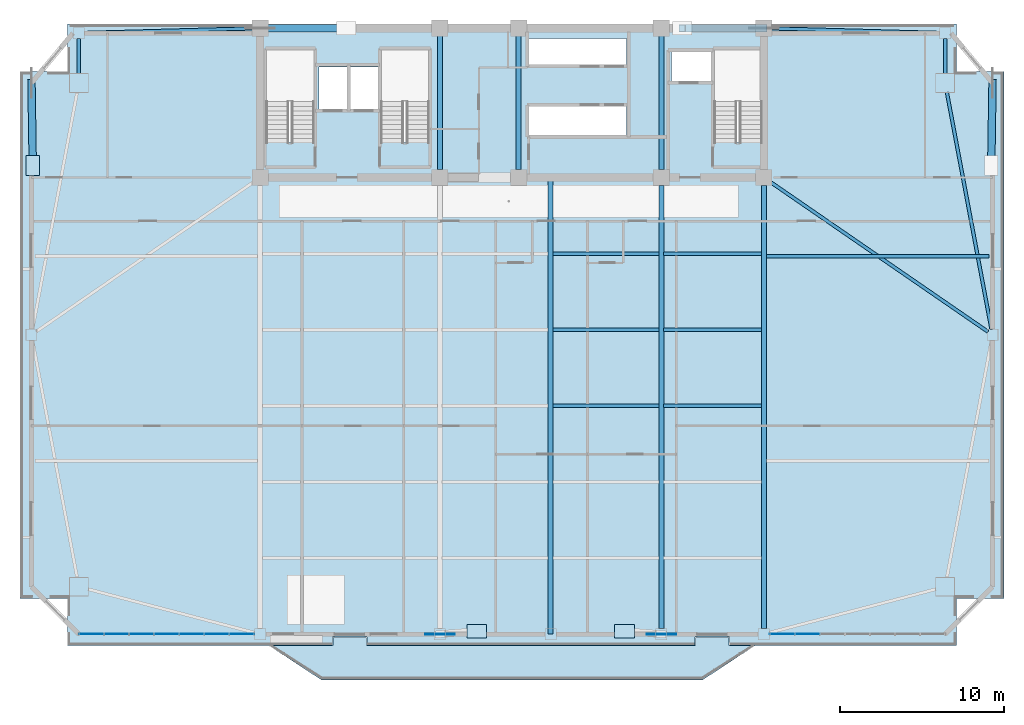
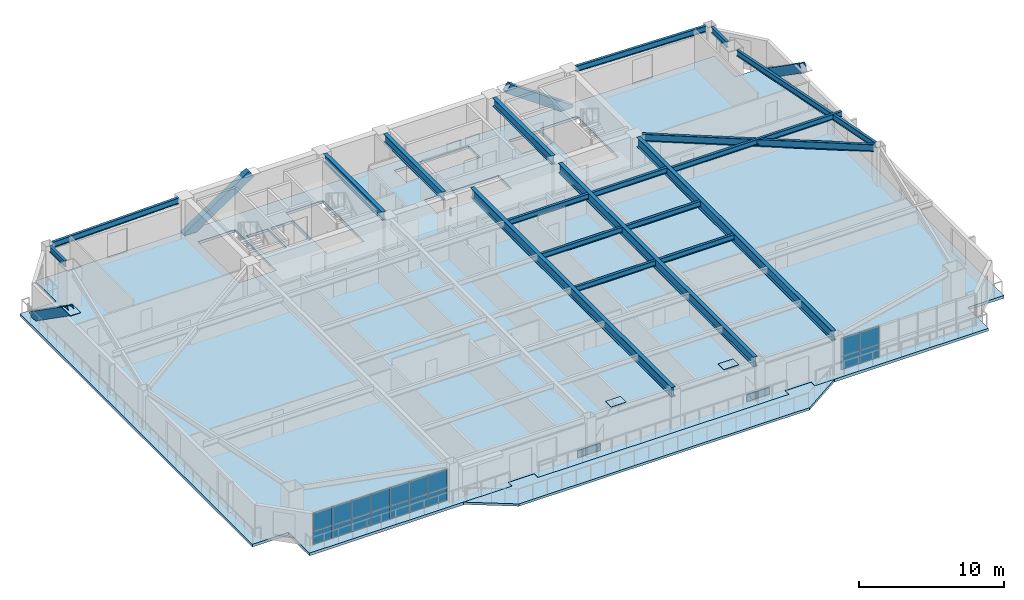
# One storey, part 6 of 15: 23 plates, 19 beams, 4 members, 2 slabs, 2 elements without a shape of their own.
"""IFC4 building model written with IfcOpenShell, lengths in metres."""

from ifc_helpers import new_model, si_unit, direction, frame, origin, origin_2d, place, context, subcontext, project, spatial, polyline, rectangle, hollow_rectangle, i_section, outline, extrude, source, transform, mapped, material, layer, layer_set, material_profile, profile_set, type_object, element, aggregate, save


model = new_model("IFC4")

# Units and contexts
model_context = context("Model", 3, precision=1e-05, world=origin(), true_north=direction((0.0, 1.0)))
body_context = subcontext(model_context, "Body", "Model", "MODEL_VIEW")
ifc_project = project(units=[si_unit("LENGTHUNIT", "METRE"), si_unit("AREAUNIT", "SQUARE_METRE"), si_unit("VOLUMEUNIT", "CUBIC_METRE"), si_unit("PLANEANGLEUNIT", "RADIAN"), si_unit("MASSUNIT", "GRAM", prefix="KILO")], contexts=[model_context])

# Site, building, storey
site_placement = place(None, origin())
site = spatial("IfcSite", under=ifc_project, at=site_placement, CompositionType="ELEMENT")
building_placement = place(site_placement, origin())
building = spatial("IfcBuilding", under=site, at=building_placement, Name="Giltprow Tower", CompositionType="ELEMENT")
storey_placement = place(building_placement, frame((0.0, 0.0, 170.199951171875)))
storey = spatial("IfcBuildingStorey", under=building, at=storey_placement, Name="L42", CompositionType="ELEMENT", Elevation=170.199951171875)

# Beams
ifc_material_1 = material(Name="Structural steel Q355B", Category="steel")
ifc_material_profile_1 = material_profile(ifc_material_1, i_section(OverallWidth=0.199951171875, OverallDepth=0.449951171875, WebThickness=0.009033203125, FlangeThickness=0.013916015625, at=origin_2d()), Name="HN 450x200x9x14")
ifc_profile_set_1 = profile_set([ifc_material_profile_1], Name="Structural steel Q355B")
beam_type_1 = type_object("IfcBeamType", Name="BM-JOIST-HN450", PredefinedType="JOIST", material=ifc_profile_set_1)
shared_shape_1 = source(origin(), body_context, "Body", "SweptSolid", [
    extrude(i_section(OverallWidth=0.199951171875, OverallDepth=0.449951171875, WebThickness=0.009033203125, FlangeThickness=0.013916015625, at=origin_2d()), origin(), (0.0, 0.0, 1.0), 6.4599609375),
])
for number, where, z_axis, x_axis, name in (
    (1, (37.695068359375, 23.5380859375, 3.045166015625), (1.0, 0.0, 0.0), (0.0, 1.0, 0.0), "L42 Composite Floor Joist 3-3"),
    (2, (37.695068359375, 28.175048828125, 3.045166015625), (1.0, 0.0, 0.0), (0.0, 1.0, 0.0), "L42 Composite Floor Joist 4-3"),
    (3, (37.695068359375, 32.81298828125, 3.045166015625), (1.0, 0.0, 0.0), (0.0, 1.0, 0.0), "L42 Composite Floor Joist 5-3"),
):
    element("IfcBeam", number, at=place(storey_placement, frame(where, z_axis=z_axis, x_axis=x_axis)), inside=storey, type_object=beam_type_1, Name=name, PredefinedType="JOIST", context=body_context, shape_type="MappedRepresentation", body=[
        mapped(shared_shape_1, transform((0.0, 0.0, 0.0), x_axis=(1.0, 0.0, 0.0), y_axis=(0.0, 1.0, 0.0), z_axis=(0.0, 0.0, 1.0), scale=1.0)),
    ])
shared_shape_2 = source(origin(), body_context, "Body", "SweptSolid", [
    extrude(i_section(OverallWidth=0.199951171875, OverallDepth=0.449951171875, WebThickness=0.009033203125, FlangeThickness=0.013916015625, at=origin_2d()), origin(), (0.0, 0.0, 1.0), 5.9599609375),
])
for number, where, z_axis, x_axis, name in (
    (4, (44.445068359375, 23.5380859375, 3.045166015625), (1.0, 0.0, 0.0), (0.0, 1.0, 0.0), "L42 Composite Floor Joist 3-4"),
    (5, (44.445068359375, 28.175048828125, 3.045166015625), (1.0, 0.0, 0.0), (0.0, 1.0, 0.0), "L42 Composite Floor Joist 4-4"),
    (6, (44.445068359375, 32.81298828125, 3.045166015625), (1.0, 0.0, 0.0), (0.0, 1.0, 0.0), "L42 Composite Floor Joist 5-4"),
):
    element("IfcBeam", number, at=place(storey_placement, frame(where, z_axis=z_axis, x_axis=x_axis)), inside=storey, type_object=beam_type_1, Name=name, PredefinedType="JOIST", context=body_context, shape_type="MappedRepresentation", body=[
        mapped(shared_shape_2, transform((0.0, 0.0, 0.0), x_axis=(1.0, 0.0, 0.0), y_axis=(0.0, 1.0, 0.0), z_axis=(0.0, 0.0, 1.0), scale=1.0)),
    ])
ifc_material_profile_2 = material_profile(ifc_material_1, i_section(OverallWidth=0.300048828125, OverallDepth=0.699951171875, WebThickness=0.012939453125, FlangeThickness=0.02392578125, at=origin_2d()), Name="HN 700x300x13x24")
ifc_profile_set_2 = profile_set([ifc_material_profile_2], Name="Structural steel Q355B")
beam_type_2 = type_object("IfcBeamType", Name="BM-GIRD-HN700", PredefinedType="BEAM", material=ifc_profile_set_2)
shared_shape_3 = source(origin(), body_context, "Body", "SweptSolid", [
    extrude(i_section(OverallWidth=0.300048828125, OverallDepth=0.699951171875, WebThickness=0.012939453125, FlangeThickness=0.02392578125, at=origin_2d()), origin(), (0.0, 0.0, 1.0), 8.1298828125),
])
for number, where, z_axis, x_axis, name in (
    (7, (30.800048828125, 37.93505859375, 2.920166015625), (0.0, 1.0, 0.0), (-1.0, 0.0, 0.0), "L42 Core Tie Girder M1"),
    (8, (35.60009765625, 37.93505859375, 2.920166015625), (0.0, 1.0, 0.0), (-1.0, 0.0, 0.0), "L42 Core Tie Girder M2"),
    (9, (44.300048828125, 37.93505859375, 2.920166015625), (0.0, 1.0, 0.0), (-1.0, 0.0, 0.0), "L42 Core Tie Girder M3"),
):
    element("IfcBeam", number, at=place(storey_placement, frame(where, z_axis=z_axis, x_axis=x_axis)), inside=storey, type_object=beam_type_2, Name=name, PredefinedType="BEAM", context=body_context, shape_type="MappedRepresentation", body=[
        mapped(shared_shape_3, transform((0.0, 0.0, 0.0), x_axis=(1.0, 0.0, 0.0), y_axis=(0.0, 1.0, 0.0), z_axis=(0.0, 0.0, 1.0), scale=1.0)),
    ])
ifc_material_profile_3 = material_profile(ifc_material_1, i_section(OverallWidth=0.300048828125, OverallDepth=0.800048828125, WebThickness=0.013916015625, FlangeThickness=0.02587890625, at=origin_2d()), Name="HN 800x300x14x26")
ifc_profile_set_3 = profile_set([ifc_material_profile_3], Name="Structural steel Q355B")
beam_type_3 = type_object("IfcBeamType", Name="BM-GIRD-HN800", PredefinedType="BEAM", material=ifc_profile_set_3)
shared_shape_4 = source(origin(), body_context, "Body", "SweptSolid", [
    extrude(i_section(OverallWidth=0.300048828125, OverallDepth=0.800048828125, WebThickness=0.013916015625, FlangeThickness=0.02587890625, at=origin_2d()), origin(), (0.0, 0.0, 1.0), 27.823974609375),
])
beam_1_placement = place(storey_placement, frame((37.550048828125, 9.6259765625, 2.8701171875), z_axis=(0.0, 1.0, 0.0), x_axis=(-1.0, 0.0, 0.0)))
element("IfcBeam", 10, at=beam_1_placement, inside=storey, type_object=beam_type_3, Name="L42 Central Lease Girder SMID", PredefinedType="BEAM", context=body_context, shape_type="MappedRepresentation", body=[
    mapped(shared_shape_4, transform((0.0, 0.0, 0.0), x_axis=(1.0, 0.0, 0.0), y_axis=(0.0, 1.0, 0.0), z_axis=(0.0, 0.0, 1.0), scale=1.0)),
])
shared_shape_5 = source(origin(), body_context, "Body", "SweptSolid", [
    extrude(i_section(OverallWidth=0.199951171875, OverallDepth=0.449951171875, WebThickness=0.009033203125, FlangeThickness=0.013916015625, at=origin_2d()), origin(), (0.0, 0.0, 1.0), 13.56591796875),
])
beam_2_placement = place(storey_placement, frame((50.695068359375, 32.656982421875, 3.045166015625), z_axis=(1.0, 0.0, 0.0), x_axis=(0.0, 1.0, 0.0)))
element("IfcBeam", 11, at=beam_2_placement, inside=storey, type_object=beam_type_1, Name="L42 East Wing Floor Joist 2", PredefinedType="JOIST", context=body_context, shape_type="MappedRepresentation", body=[
    mapped(shared_shape_5, transform((0.0, 0.0, 0.0), x_axis=(1.0, 0.0, 0.0), y_axis=(0.0, 1.0, 0.0), z_axis=(0.0, 0.0, 1.0), scale=1.0)),
])
ifc_material_profile_4 = material_profile(ifc_material_1, i_section(OverallWidth=0.199951171875, OverallDepth=0.5, WebThickness=0.010009765625, FlangeThickness=0.01611328125, at=origin_2d()), Name="HN 500x200x10x16")
ifc_profile_set_4 = profile_set([ifc_material_profile_4], Name="Structural steel Q355B")
beam_type_4 = type_object("IfcBeamType", Name="BM-SPAN-HN500", PredefinedType="SPANDREL", material=ifc_profile_set_4)
shared_shape_6 = source(origin(), body_context, "Body", "SweptSolid", [
    extrude(i_section(OverallWidth=0.199951171875, OverallDepth=0.5, WebThickness=0.010009765625, FlangeThickness=0.01611328125, at=origin_2d()), origin(), (0.0, 0.0, 1.0), 14.69921875),
])
beam_3_placement = place(storey_placement, frame((64.4189453125, 28.19189453125, 3.02001953125), z_axis=(-0.184841051364, 0.982768429352, 0.0), x_axis=(-0.982768429352, -0.184841051364, 0.0)))
element("IfcBeam", 12, at=beam_3_placement, inside=storey, type_object=beam_type_4, Name="L42 Perimeter Spandrel Beam E_MID-MC_NE", PredefinedType="SPANDREL", context=body_context, shape_type="MappedRepresentation", body=[
    mapped(shared_shape_6, transform((0.0, 0.0, 0.0), x_axis=(1.0, 0.0, 0.0), y_axis=(0.0, 1.0, 0.0), z_axis=(0.0, 0.0, 1.0), scale=1.0)),
])
shared_shape_7 = source(origin(), body_context, "Body", "SweptSolid", [
    extrude(i_section(OverallWidth=0.199951171875, OverallDepth=0.5, WebThickness=0.010009765625, FlangeThickness=0.01611328125, at=origin_2d()), origin(), (0.0, 0.0, 1.0), 2.116943359375),
])
for number, where, z_axis, x_axis, name in (
    (13, (61.593994140625, 43.798095703125, 3.02001953125), (0.0, 1.0, 0.0), (-1.0, 0.0, 0.0), "L42 Perimeter Spandrel Beam MC_NE-N_E"),
    (14, (8.805908203125, 45.9150390625, 3.02001953125), (0.0, -1.0, 0.0), (1.0, 0.0, 0.0), "L42 Perimeter Spandrel Beam N_W-MC_NW"),
):
    element("IfcBeam", number, at=place(storey_placement, frame(where, z_axis=z_axis, x_axis=x_axis)), inside=storey, type_object=beam_type_4, Name=name, PredefinedType="SPANDREL", context=body_context, shape_type="MappedRepresentation", body=[
        mapped(shared_shape_7, transform((0.0, 0.0, 0.0), x_axis=(1.0, 0.0, 0.0), y_axis=(0.0, 1.0, 0.0), z_axis=(0.0, 0.0, 1.0), scale=1.0)),
    ])
shared_shape_8 = source(origin(), body_context, "Body", "SweptSolid", [
    extrude(i_section(OverallWidth=0.199951171875, OverallDepth=0.5, WebThickness=0.010009765625, FlangeThickness=0.01611328125, at=origin_2d()), origin(), (0.0, 0.0, 1.0), 10.2275390625),
])
beam_4_placement = place(storey_placement, frame((9.14111328125, 46.259033203125, 3.02001953125), z_axis=(0.999630320429, 0.027188646153, 0.0), x_axis=(-0.027188646153, 0.999630320429, 0.0)))
element("IfcBeam", 15, at=beam_4_placement, inside=storey, type_object=beam_type_4, Name="L42 North Wing Spandrel W", PredefinedType="SPANDREL", context=body_context, shape_type="MappedRepresentation", body=[
    mapped(shared_shape_8, transform((0.0, 0.0, 0.0), x_axis=(1.0, 0.0, 0.0), y_axis=(0.0, 1.0, 0.0), z_axis=(0.0, 0.0, 1.0), scale=1.0)),
])
shared_shape_9 = source(origin(), body_context, "Body", "SweptSolid", [
    extrude(i_section(OverallWidth=0.199951171875, OverallDepth=0.5, WebThickness=0.010009765625, FlangeThickness=0.01611328125, at=origin_2d()), origin(), (0.0, 0.0, 1.0), 10.227783203125),
])
beam_5_placement = place(storey_placement, frame((51.034912109375, 46.537109375, 3.02001953125), z_axis=(0.999630338074, -0.027187997399, 0.0), x_axis=(0.027187997399, 0.999630338074, 0.0)))
element("IfcBeam", 16, at=beam_5_placement, inside=storey, type_object=beam_type_4, Name="L42 North Wing Spandrel E", PredefinedType="SPANDREL", context=body_context, shape_type="MappedRepresentation", body=[
    mapped(shared_shape_9, transform((0.0, 0.0, 0.0), x_axis=(1.0, 0.0, 0.0), y_axis=(0.0, 1.0, 0.0), z_axis=(0.0, 0.0, 1.0), scale=1.0)),
])
shared_shape_10 = source(origin(), body_context, "Body", "SweptSolid", [
    extrude(i_section(OverallWidth=0.300048828125, OverallDepth=0.800048828125, WebThickness=0.013916015625, FlangeThickness=0.02587890625, at=origin_2d()), origin(), (0.0, 0.0, 1.0), 27.004150390625),
])
for number, where, z_axis, x_axis, name in (
    (17, (44.300048828125, 9.9609375, 2.8701171875), (0.0, 1.0, 0.0), (-1.0, 0.0, 0.0), "L42 Primary Lease Girder S3"),
    (18, (50.550048828125, 9.9609375, 2.8701171875), (0.0, 1.0, 0.0), (-1.0, 0.0, 0.0), "L42 Primary Lease Girder S4"),
):
    element("IfcBeam", number, at=place(storey_placement, frame(where, z_axis=z_axis, x_axis=x_axis)), inside=storey, type_object=beam_type_3, Name=name, PredefinedType="BEAM", context=body_context, shape_type="MappedRepresentation", body=[
        mapped(shared_shape_10, transform((0.0, 0.0, 0.0), x_axis=(1.0, 0.0, 0.0), y_axis=(0.0, 1.0, 0.0), z_axis=(0.0, 0.0, 1.0), scale=1.0)),
    ])
ifc_material_profile_5 = material_profile(ifc_material_1, i_section(OverallWidth=0.199951171875, OverallDepth=0.60009765625, WebThickness=0.010986328125, FlangeThickness=0.01708984375, at=origin_2d()), Name="HN 600x200x11x17")
ifc_profile_set_5 = profile_set([ifc_material_profile_5], Name="Structural steel Q355B")
beam_type_5 = type_object("IfcBeamType", Name="BM-GIRD-HN600", PredefinedType="BEAM", material=ifc_profile_set_5)
shared_shape_11 = source(origin(), body_context, "Body", "SweptSolid", [
    extrude(i_section(OverallWidth=0.199951171875, OverallDepth=0.60009765625, WebThickness=0.010986328125, FlangeThickness=0.01708984375, at=origin_2d()), origin(), (0.0, 0.0, 1.0), 16.090576171875),
])
beam_6_placement = place(storey_placement, frame((64.205078125, 28.052978515625, 2.969970703125), z_axis=(-0.823775766342, 0.566915766924, 0.0), x_axis=(-0.566915766924, -0.823775766342, 0.0)))
element("IfcBeam", 19, at=beam_6_placement, inside=storey, type_object=beam_type_5, Name="L42 East Wing Primary Girder", PredefinedType="BEAM", context=body_context, shape_type="MappedRepresentation", body=[
    mapped(shared_shape_11, transform((0.0, 0.0, 0.0), x_axis=(1.0, 0.0, 0.0), y_axis=(0.0, 1.0, 0.0), z_axis=(0.0, 0.0, 1.0), scale=1.0)),
])

# Members
ifc_material_2 = material(Name="Structural steel Q420GJC", Category="steel")
ifc_material_profile_6 = material_profile(ifc_material_2, hollow_rectangle(XDim=0.449951171875, YDim=0.699951171875, WallThickness=0.031982421875, at=origin_2d()), Name="RHS 700x450x32")
ifc_profile_set_6 = profile_set([ifc_material_profile_6], Name="Structural steel Q420GJC")
member_type = type_object("IfcMemberType", Name="MBR-MEGA-RHS700", PredefinedType="BRACE", material=ifc_profile_set_6)
shared_shape_12 = source(origin(), body_context, "Body", "SweptSolid", [
    extrude(hollow_rectangle(XDim=0.449951171875, YDim=0.699951171875, WallThickness=0.031982421875, at=origin_2d()), origin(), (0.0, 0.0, 1.0), 6.309814453125),
])
member_1_placement = place(storey_placement, frame((19.85009765625, 46.550048828125, -0.139892578125), z_axis=(0.832050294338, 0.0, 0.554700196225), x_axis=(0.0, 1.0, 0.0)))
element("IfcMember", 20, at=member_1_placement, inside=storey, type_object=member_type, Name="L42 Chevron Mega-Brace N-L", PredefinedType="BRACE", context=body_context, shape_type="MappedRepresentation", body=[
    mapped(shared_shape_12, transform((0.0, 0.0, 0.0), x_axis=(1.0, 0.0, 0.0), y_axis=(0.0, 1.0, 0.0), z_axis=(0.0, 0.0, 1.0), scale=1.0)),
])
shared_shape_13 = source(origin(), body_context, "Body", "SweptSolid", [
    extrude(hollow_rectangle(XDim=0.449951171875, YDim=0.699951171875, WallThickness=0.031982421875, at=origin_2d()), origin(), (0.0, 0.0, 1.0), 6.089599609375),
])
member_2_placement = place(storey_placement, frame((50.550048828125, 46.550048828125, -0.139892578125), z_axis=(-0.818321147337, 0.0, 0.574761254628), x_axis=(0.0, -1.0, 0.0)))
element("IfcMember", 21, at=member_2_placement, inside=storey, type_object=member_type, Name="L42 Chevron Mega-Brace N-R", PredefinedType="BRACE", context=body_context, shape_type="MappedRepresentation", body=[
    mapped(shared_shape_13, transform((0.0, 0.0, 0.0), x_axis=(1.0, 0.0, 0.0), y_axis=(0.0, 1.0, 0.0), z_axis=(0.0, 0.0, 1.0), scale=1.0)),
])
shared_shape_14 = source(origin(), body_context, "Body", "SweptSolid", [
    extrude(hollow_rectangle(XDim=0.449951171875, YDim=0.699951171875, WallThickness=0.031982421875, at=origin_2d()), origin(), (0.0, 0.0, 1.0), 6.12744140625),
])
for number, where, z_axis, x_axis, name in (
    (22, (5.9189453125, 43.212890625, 0.0), (0.012750108012, -0.820708515084, 0.571204838928), (0.999879346132, 0.015533614466, 0.0), "L42 Chevron Mega-Brace W-R"),
    (23, (64.48095703125, 43.212890625, 0.0), (-0.012710270371, -0.820708931366, 0.571205128656), (0.999880098905, -0.015485083579, 0.0), "L42 Chevron Mega-Brace E-R"),
):
    element("IfcMember", number, at=place(storey_placement, frame(where, z_axis=z_axis, x_axis=x_axis)), inside=storey, type_object=member_type, Name=name, PredefinedType="BRACE", context=body_context, shape_type="MappedRepresentation", body=[
        mapped(shared_shape_14, transform((0.0, 0.0, 0.0), x_axis=(1.0, 0.0, 0.0), y_axis=(0.0, 1.0, 0.0), z_axis=(0.0, 0.0, 1.0), scale=1.0)),
    ])

# Slabs
ifc_material_3 = material(Name="Concrete C40", Category="concrete")
ifc_layer_1 = layer(ifc_material_3, 0.199951171875, Name="Concrete C40")
ifc_layer_set_1 = layer_set([ifc_layer_1], Name="Concrete C40")
slab_type_1 = type_object("IfcSlabType", Name="SLB-BALC-BRONZE-200", PredefinedType="FLOOR", material=ifc_layer_set_1)
slab_1_placement = place(storey_placement, frame((0.0, 0.0, -0.199951171875)))
element("IfcSlab", 24, at=slab_1_placement, inside=storey, type_object=slab_type_1, Name="L42 Bronze Prow Waterfront Balcony Slab", PredefinedType="FLOOR", context=body_context, shape_type="SweptSolid", body=[
    extrude(outline(polyline([(50.0, 8.926025390625), (46.800048828125, 6.825927734375), (23.60009765625, 6.825927734375), (20.39990234375, 8.926025390625), (24.280029296875, 8.926025390625), (24.280029296875, 9.426025390625), (26.320068359375, 9.426025390625), (26.320068359375, 8.926025390625), (46.3798828125, 8.926025390625), (46.3798828125, 9.426025390625), (48.419921875, 9.426025390625), (48.419921875, 8.926025390625), (50.0, 8.926025390625)])), origin(), (0.0, 0.0, 1.0), 0.199951171875),
])
ifc_layer_2 = layer(ifc_material_3, 0.22998046875, Name="Concrete C40")
ifc_layer_set_2 = layer_set([ifc_layer_2], Name="Concrete C40")
slab_type_2 = type_object("IfcSlabType", Name="SLB-HTL-230", PredefinedType="FLOOR", material=ifc_layer_set_2)
slab_2_placement = place(storey_placement, frame((0.0, 0.0, -0.22998046875)))
element("IfcSlab", 25, at=slab_2_placement, inside=storey, type_object=slab_type_2, Name="L42 Structural Composite Floor Slab", PredefinedType="FLOOR", context=body_context, shape_type="SweptSolid", body=[
    extrude(outline(polyline([(8.10595703125, 8.926025390625), (8.10595703125, 11.81298828125), (5.218994140625, 11.81298828125), (5.218994140625, 43.9130859375), (8.10595703125, 43.9130859375), (8.10595703125, 46.800048828125), (62.2939453125, 46.800048828125), (62.2939453125, 43.9130859375), (65.180908203125, 43.9130859375), (65.180908203125, 11.81298828125), (62.2939453125, 11.81298828125), (62.2939453125, 8.926025390625), (48.449951171875, 8.926025390625), (48.449951171875, 9.446044921875), (46.35009765625, 9.446044921875), (46.35009765625, 8.926025390625), (26.35009765625, 8.926025390625), (26.35009765625, 9.446044921875), (24.25, 9.446044921875), (24.25, 8.926025390625), (8.10595703125, 8.926025390625)]), holes=[polyline([(42.169921875, 41.800048828125), (36.239990234375, 41.800048828125), (36.239990234375, 40.0), (42.169921875, 40.0), (42.169921875, 41.800048828125)]), polyline([(23.159912109375, 39.570068359375), (23.159912109375, 45.25), (20.199951171875, 45.25), (20.199951171875, 39.570068359375), (23.159912109375, 39.570068359375)]), polyline([(30.159912109375, 39.570068359375), (30.159912109375, 45.25), (27.199951171875, 45.25), (27.199951171875, 39.570068359375), (30.159912109375, 39.570068359375)]), polyline([(50.4599609375, 45.25), (47.5, 45.25), (47.5, 39.570068359375), (50.4599609375, 39.570068359375), (50.4599609375, 45.25)]), polyline([(25.169921875, 44.199951171875), (23.449951171875, 44.199951171875), (23.449951171875, 41.60009765625), (25.169921875, 41.60009765625), (25.169921875, 44.199951171875)]), polyline([(27.10009765625, 44.199951171875), (25.35009765625, 44.199951171875), (25.35009765625, 41.60009765625), (27.10009765625, 41.60009765625), (27.10009765625, 44.199951171875)]), polyline([(47.3798828125, 43.300048828125), (47.3798828125, 45.10009765625), (44.919921875, 45.10009765625), (44.919921875, 43.300048828125), (47.3798828125, 43.300048828125)]), polyline([(42.169921875, 44.300048828125), (42.169921875, 45.919921875), (36.239990234375, 45.919921875), (36.239990234375, 44.300048828125), (42.169921875, 44.300048828125)])]), origin(), (0.0, 0.0, 1.0), 0.22998046875),
])

# Plates
plate_type_1 = type_object("IfcPlateType", Name="PLT-NODE-MBN1", PredefinedType="USERDEFINED", material=ifc_material_2)
shared_shape_15 = source(origin(), body_context, "Body", "SweptSolid", [
    extrude(rectangle(XDim=1.800048828125, YDim=0.050048828125, at=origin_2d()), origin(), (0.0, 0.0, 1.0), 1.14990234375),
])
for number, where, z_axis, x_axis, name in (
    (26, (30.800048828125, 9.6259765625, -0.574951171875), (0.0, 0.0, 1.0), (1.0, 0.0, 0.0), "Mega-Brace Node L42-S-LA"),
    (27, (44.300048828125, 9.6259765625, -0.574951171875), (0.0, 0.0, 1.0), (1.0, 0.0, 0.0), "Mega-Brace Node L42-S-RA"),
):
    element("IfcPlate", number, at=place(storey_placement, frame(where, z_axis=z_axis, x_axis=x_axis)), inside=storey, type_object=plate_type_1, Name=name, ObjectType="GUSSET", PredefinedType="USERDEFINED", context=body_context, shape_type="MappedRepresentation", body=[
        mapped(shared_shape_15, transform((0.0, 0.0, 0.0), x_axis=(1.0, 0.0, 0.0), y_axis=(0.0, 1.0, 0.0), z_axis=(0.0, 0.0, 1.0), scale=1.0)),
    ])
plate_type_2 = type_object("IfcPlateType", Name="PLT-CAP-SEAL", PredefinedType="USERDEFINED", material=ifc_material_2)
shared_shape_16 = source(origin(), body_context, "Body", "SweptSolid", [
    extrude(rectangle(XDim=1.199951171875, YDim=0.800048828125, at=origin_2d()), origin(), (0.0, 0.0, 1.0), 0.034912109375),
])
for number, where, z_axis, x_axis, name in (
    (28, (33.050048828125, 9.802001953125, 3.482421875), (0.0, 0.0, 1.0), (1.0, 0.0, 0.0), "Mega-Brace Node L42-S-LB"),
    (29, (42.050048828125, 9.802001953125, 3.482421875), (0.0, 0.0, 1.0), (1.0, 0.0, 0.0), "Mega-Brace Node L42-S-RB"),
    (30, (5.9970703125, 38.18408203125, 3.482421875), (0.0, 0.0, 1.0), (0.0, 1.0, 0.0), "Mega-Brace Node L42-W-RB"),
):
    element("IfcPlate", number, at=place(storey_placement, frame(where, z_axis=z_axis, x_axis=x_axis)), inside=storey, type_object=plate_type_2, Name=name, ObjectType="SPLICE", PredefinedType="USERDEFINED", context=body_context, shape_type="MappedRepresentation", body=[
        mapped(shared_shape_16, transform((0.0, 0.0, 0.0), x_axis=(1.0, 0.0, 0.0), y_axis=(0.0, 1.0, 0.0), z_axis=(0.0, 0.0, 1.0), scale=1.0)),
    ])

# Curtain wall, plates
ifc_material_4 = material(Name="Anodized bronze", Category="metal")
ifc_layer_3 = layer(ifc_material_4, 0.179931640625, Name="Anodized bronze")
ifc_layer_set_3 = layer_set([ifc_layer_3], Name="Anodized bronze")
curtain_wall_type = type_object("IfcCurtainWallType", Name="CW-HTL-BRONZE", PredefinedType="NOTDEFINED", material=ifc_layer_set_3)
curtain_wall_1_placement = place(storey_placement, origin())
curtain_wall_1 = element("IfcCurtainWall", 31, at=curtain_wall_1_placement, inside=storey, type_object=curtain_wall_type, Name="L42 South Recessed Curtain Wall 1", PredefinedType="NOTDEFINED")
ifc_material_5 = material(Name="Insulated glass", Category="glass")
plate_type_3 = type_object("IfcPlateType", Name="CW-PANEL-IGU-28", PredefinedType="CURTAIN_PANEL", material=ifc_material_5)
shared_shape_17 = source(origin(), body_context, "Body", "SweptSolid", [
    extrude(rectangle(XDim=1.498046875, YDim=0.028076171875, at=origin_2d()), origin(), (0.0, 0.0, 1.0), 1.0869140625),
])
plate_1_placement = place(storey_placement, frame((9.570068359375, 9.6259765625, 0.0546875), z_axis=(0.0, 0.0, 1.0), x_axis=(1.0, 0.0, 0.0)))
plate_1 = element("IfcPlate", 32, at=plate_1_placement, type_object=plate_type_3, Name="L42 South Recessed Curtain Wall 1 Glazing Panel 1-1", PredefinedType="CURTAIN_PANEL", context=body_context, shape_type="MappedRepresentation", body=[
    mapped(shared_shape_17, transform((0.0, 0.0, 0.0), x_axis=(1.0, 0.0, 0.0), y_axis=(0.0, 1.0, 0.0), z_axis=(0.0, 0.0, 1.0), scale=1.0)),
])
plate_2_placement = place(storey_placement, frame((11.097900390625, 9.6259765625, 0.0546875), z_axis=(0.0, 0.0, 1.0), x_axis=(1.0, 0.0, 0.0)))
plate_2 = element("IfcPlate", 33, at=plate_2_placement, type_object=plate_type_3, Name="L42 South Recessed Curtain Wall 1 Glazing Panel 2-1", PredefinedType="CURTAIN_PANEL", context=body_context, shape_type="MappedRepresentation", body=[
    mapped(shared_shape_17, transform((0.0, 0.0, 0.0), x_axis=(1.0, 0.0, 0.0), y_axis=(0.0, 1.0, 0.0), z_axis=(0.0, 0.0, 1.0), scale=1.0)),
])
plate_3_placement = place(storey_placement, frame((12.625, 9.6259765625, 0.0546875), z_axis=(0.0, 0.0, 1.0), x_axis=(1.0, 0.0, 0.0)))
plate_3 = element("IfcPlate", 34, at=plate_3_placement, type_object=plate_type_3, Name="L42 South Recessed Curtain Wall 1 Glazing Panel 3-1", PredefinedType="CURTAIN_PANEL", context=body_context, shape_type="MappedRepresentation", body=[
    mapped(shared_shape_17, transform((0.0, 0.0, 0.0), x_axis=(1.0, 0.0, 0.0), y_axis=(0.0, 1.0, 0.0), z_axis=(0.0, 0.0, 1.0), scale=1.0)),
])
plate_4_placement = place(storey_placement, frame((14.153076171875, 9.6259765625, 0.0546875), z_axis=(0.0, 0.0, 1.0), x_axis=(1.0, 0.0, 0.0)))
plate_4 = element("IfcPlate", 35, at=plate_4_placement, type_object=plate_type_3, Name="L42 South Recessed Curtain Wall 1 Glazing Panel 4-1", PredefinedType="CURTAIN_PANEL", context=body_context, shape_type="MappedRepresentation", body=[
    mapped(shared_shape_17, transform((0.0, 0.0, 0.0), x_axis=(1.0, 0.0, 0.0), y_axis=(0.0, 1.0, 0.0), z_axis=(0.0, 0.0, 1.0), scale=1.0)),
])
plate_5_placement = place(storey_placement, frame((15.680908203125, 9.6259765625, 0.0546875), z_axis=(0.0, 0.0, 1.0), x_axis=(1.0, 0.0, 0.0)))
plate_5 = element("IfcPlate", 36, at=plate_5_placement, type_object=plate_type_3, Name="L42 South Recessed Curtain Wall 1 Glazing Panel 5-1", PredefinedType="CURTAIN_PANEL", context=body_context, shape_type="MappedRepresentation", body=[
    mapped(shared_shape_17, transform((0.0, 0.0, 0.0), x_axis=(1.0, 0.0, 0.0), y_axis=(0.0, 1.0, 0.0), z_axis=(0.0, 0.0, 1.0), scale=1.0)),
])
plate_6_placement = place(storey_placement, frame((17.2080078125, 9.6259765625, 0.0546875), z_axis=(0.0, 0.0, 1.0), x_axis=(1.0, 0.0, 0.0)))
plate_6 = element("IfcPlate", 37, at=plate_6_placement, type_object=plate_type_3, Name="L42 South Recessed Curtain Wall 1 Glazing Panel 6-1", PredefinedType="CURTAIN_PANEL", context=body_context, shape_type="MappedRepresentation", body=[
    mapped(shared_shape_17, transform((0.0, 0.0, 0.0), x_axis=(1.0, 0.0, 0.0), y_axis=(0.0, 1.0, 0.0), z_axis=(0.0, 0.0, 1.0), scale=1.0)),
])
plate_7_placement = place(storey_placement, frame((18.736083984375, 9.6259765625, 0.0546875), z_axis=(0.0, 0.0, 1.0), x_axis=(1.0, 0.0, 0.0)))
plate_7 = element("IfcPlate", 38, at=plate_7_placement, type_object=plate_type_3, Name="L42 South Recessed Curtain Wall 1 Glazing Panel 7-1", PredefinedType="CURTAIN_PANEL", context=body_context, shape_type="MappedRepresentation", body=[
    mapped(shared_shape_17, transform((0.0, 0.0, 0.0), x_axis=(1.0, 0.0, 0.0), y_axis=(0.0, 1.0, 0.0), z_axis=(0.0, 0.0, 1.0), scale=1.0)),
])

curtain_wall_2_placement = place(storey_placement, origin())
curtain_wall_2 = element("IfcCurtainWall", 39, at=curtain_wall_2_placement, inside=storey, type_object=curtain_wall_type, Name="L42 South Recessed Curtain Wall 6", PredefinedType="NOTDEFINED")
plate_8_placement = place(storey_placement, frame((51.6640625, 9.6259765625, 0.0546875), z_axis=(0.0, 0.0, 1.0), x_axis=(1.0, 0.0, 0.0)))
plate_8 = element("IfcPlate", 40, at=plate_8_placement, type_object=plate_type_3, Name="L42 South Recessed Curtain Wall 6 Glazing Panel 1-1", PredefinedType="CURTAIN_PANEL", context=body_context, shape_type="MappedRepresentation", body=[
    mapped(shared_shape_17, transform((0.0, 0.0, 0.0), x_axis=(1.0, 0.0, 0.0), y_axis=(0.0, 1.0, 0.0), z_axis=(0.0, 0.0, 1.0), scale=1.0)),
])
plate_9_placement = place(storey_placement, frame((53.19189453125, 9.6259765625, 0.0546875), z_axis=(0.0, 0.0, 1.0), x_axis=(1.0, 0.0, 0.0)))
plate_9 = element("IfcPlate", 41, at=plate_9_placement, type_object=plate_type_3, Name="L42 South Recessed Curtain Wall 6 Glazing Panel 2-1", PredefinedType="CURTAIN_PANEL", context=body_context, shape_type="MappedRepresentation", body=[
    mapped(shared_shape_17, transform((0.0, 0.0, 0.0), x_axis=(1.0, 0.0, 0.0), y_axis=(0.0, 1.0, 0.0), z_axis=(0.0, 0.0, 1.0), scale=1.0)),
])

# Plate
shared_shape_18 = source(origin(), body_context, "Body", "SweptSolid", [
    extrude(rectangle(XDim=1.498046875, YDim=0.028076171875, at=origin_2d()), origin(), (0.0, 0.0, 1.0), 1.527099609375),
])
plate_10_placement = place(storey_placement, frame((9.570068359375, 9.6259765625, 1.16845703125), z_axis=(0.0, 0.0, 1.0), x_axis=(1.0, 0.0, 0.0)))
plate_10 = element("IfcPlate", 42, at=plate_10_placement, type_object=plate_type_3, Name="L42 South Recessed Curtain Wall 1 Glazing Panel 1-2", PredefinedType="CURTAIN_PANEL", context=body_context, shape_type="MappedRepresentation", body=[
    mapped(shared_shape_18, transform((0.0, 0.0, 0.0), x_axis=(1.0, 0.0, 0.0), y_axis=(0.0, 1.0, 0.0), z_axis=(0.0, 0.0, 1.0), scale=1.0)),
])

plate_11_placement = place(storey_placement, frame((11.097900390625, 9.6259765625, 1.16845703125), z_axis=(0.0, 0.0, 1.0), x_axis=(1.0, 0.0, 0.0)))
plate_11 = element("IfcPlate", 43, at=plate_11_placement, type_object=plate_type_3, Name="L42 South Recessed Curtain Wall 1 Glazing Panel 2-2", PredefinedType="CURTAIN_PANEL", context=body_context, shape_type="MappedRepresentation", body=[
    mapped(shared_shape_18, transform((0.0, 0.0, 0.0), x_axis=(1.0, 0.0, 0.0), y_axis=(0.0, 1.0, 0.0), z_axis=(0.0, 0.0, 1.0), scale=1.0)),
])

plate_12_placement = place(storey_placement, frame((12.625, 9.6259765625, 1.16845703125), z_axis=(0.0, 0.0, 1.0), x_axis=(1.0, 0.0, 0.0)))
plate_12 = element("IfcPlate", 44, at=plate_12_placement, type_object=plate_type_3, Name="L42 South Recessed Curtain Wall 1 Glazing Panel 3-2", PredefinedType="CURTAIN_PANEL", context=body_context, shape_type="MappedRepresentation", body=[
    mapped(shared_shape_18, transform((0.0, 0.0, 0.0), x_axis=(1.0, 0.0, 0.0), y_axis=(0.0, 1.0, 0.0), z_axis=(0.0, 0.0, 1.0), scale=1.0)),
])

plate_13_placement = place(storey_placement, frame((14.153076171875, 9.6259765625, 1.16845703125), z_axis=(0.0, 0.0, 1.0), x_axis=(1.0, 0.0, 0.0)))
plate_13 = element("IfcPlate", 45, at=plate_13_placement, type_object=plate_type_3, Name="L42 South Recessed Curtain Wall 1 Glazing Panel 4-2", PredefinedType="CURTAIN_PANEL", context=body_context, shape_type="MappedRepresentation", body=[
    mapped(shared_shape_18, transform((0.0, 0.0, 0.0), x_axis=(1.0, 0.0, 0.0), y_axis=(0.0, 1.0, 0.0), z_axis=(0.0, 0.0, 1.0), scale=1.0)),
])

plate_14_placement = place(storey_placement, frame((15.680908203125, 9.6259765625, 1.16845703125), z_axis=(0.0, 0.0, 1.0), x_axis=(1.0, 0.0, 0.0)))
plate_14 = element("IfcPlate", 46, at=plate_14_placement, type_object=plate_type_3, Name="L42 South Recessed Curtain Wall 1 Glazing Panel 5-2", PredefinedType="CURTAIN_PANEL", context=body_context, shape_type="MappedRepresentation", body=[
    mapped(shared_shape_18, transform((0.0, 0.0, 0.0), x_axis=(1.0, 0.0, 0.0), y_axis=(0.0, 1.0, 0.0), z_axis=(0.0, 0.0, 1.0), scale=1.0)),
])

plate_15_placement = place(storey_placement, frame((17.2080078125, 9.6259765625, 1.16845703125), z_axis=(0.0, 0.0, 1.0), x_axis=(1.0, 0.0, 0.0)))
plate_15 = element("IfcPlate", 47, at=plate_15_placement, type_object=plate_type_3, Name="L42 South Recessed Curtain Wall 1 Glazing Panel 6-2", PredefinedType="CURTAIN_PANEL", context=body_context, shape_type="MappedRepresentation", body=[
    mapped(shared_shape_18, transform((0.0, 0.0, 0.0), x_axis=(1.0, 0.0, 0.0), y_axis=(0.0, 1.0, 0.0), z_axis=(0.0, 0.0, 1.0), scale=1.0)),
])

plate_16_placement = place(storey_placement, frame((18.736083984375, 9.6259765625, 1.16845703125), z_axis=(0.0, 0.0, 1.0), x_axis=(1.0, 0.0, 0.0)))
plate_16 = element("IfcPlate", 48, at=plate_16_placement, type_object=plate_type_3, Name="L42 South Recessed Curtain Wall 1 Glazing Panel 7-2", PredefinedType="CURTAIN_PANEL", context=body_context, shape_type="MappedRepresentation", body=[
    mapped(shared_shape_18, transform((0.0, 0.0, 0.0), x_axis=(1.0, 0.0, 0.0), y_axis=(0.0, 1.0, 0.0), z_axis=(0.0, 0.0, 1.0), scale=1.0)),
])

aggregate(curtain_wall_1, [plate_1, plate_10, plate_2, plate_11, plate_3, plate_12, plate_4, plate_13, plate_5, plate_14, plate_6, plate_15, plate_7, plate_16])

plate_17_placement = place(storey_placement, frame((51.6640625, 9.6259765625, 1.16845703125), z_axis=(0.0, 0.0, 1.0), x_axis=(1.0, 0.0, 0.0)))
plate_17 = element("IfcPlate", 49, at=plate_17_placement, type_object=plate_type_3, Name="L42 South Recessed Curtain Wall 6 Glazing Panel 1-2", PredefinedType="CURTAIN_PANEL", context=body_context, shape_type="MappedRepresentation", body=[
    mapped(shared_shape_18, transform((0.0, 0.0, 0.0), x_axis=(1.0, 0.0, 0.0), y_axis=(0.0, 1.0, 0.0), z_axis=(0.0, 0.0, 1.0), scale=1.0)),
])

plate_18_placement = place(storey_placement, frame((53.19189453125, 9.6259765625, 1.16845703125), z_axis=(0.0, 0.0, 1.0), x_axis=(1.0, 0.0, 0.0)))
plate_18 = element("IfcPlate", 50, at=plate_18_placement, type_object=plate_type_3, Name="L42 South Recessed Curtain Wall 6 Glazing Panel 2-2", PredefinedType="CURTAIN_PANEL", context=body_context, shape_type="MappedRepresentation", body=[
    mapped(shared_shape_18, transform((0.0, 0.0, 0.0), x_axis=(1.0, 0.0, 0.0), y_axis=(0.0, 1.0, 0.0), z_axis=(0.0, 0.0, 1.0), scale=1.0)),
])

aggregate(curtain_wall_2, [plate_8, plate_17, plate_9, plate_18])

save(model, "model.ifc")
